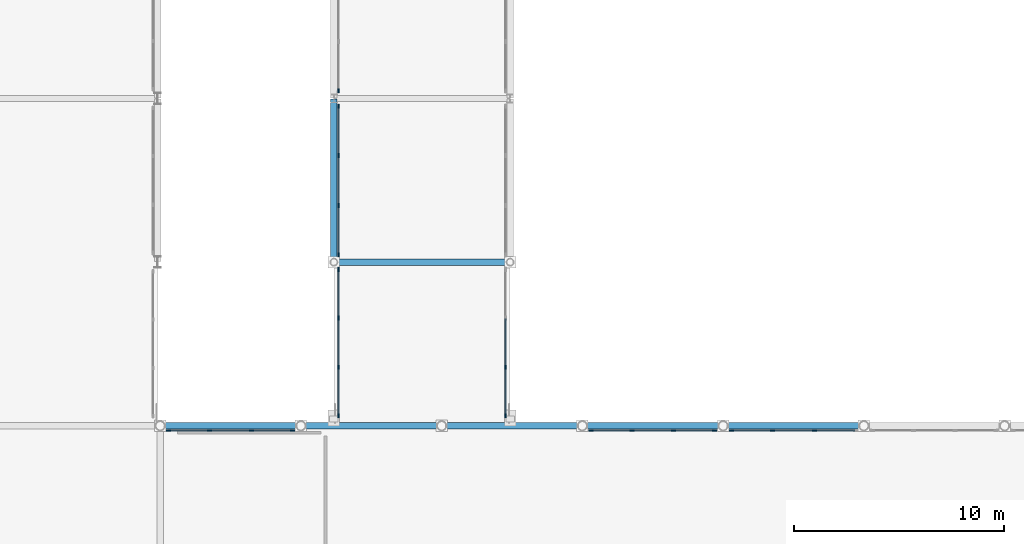
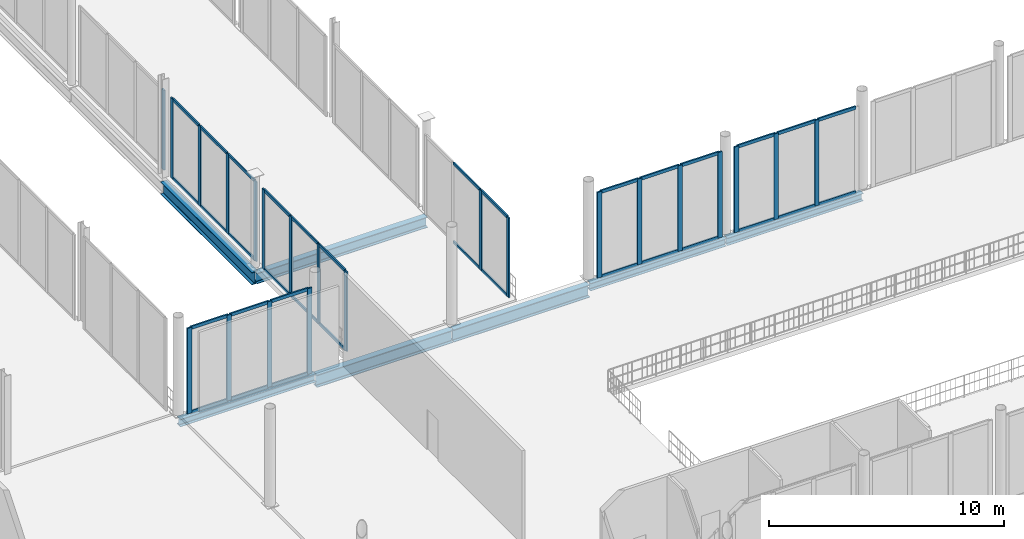
# One storey, part 35 of 105: 56 members, 7 beams, 7 elements without a shape of their own.
"""IFC4 building model written with IfcOpenShell, lengths in metres."""

from ifc_helpers import new_model, si_unit, direction, frame, origin, origin_2d, place, context, subcontext, project, spatial, rectangle, i_section, extrude, material, material_profile, profile_set, type_object, element, aggregate, save


model = new_model("IFC4")

# Units and contexts
model_context = context("Model", 3, precision=1e-05, world=origin(), true_north=direction((0.0, 1.0)))
body_context = subcontext(model_context, "Body", "Model", "MODEL_VIEW")
ifc_project = project(units=[si_unit("LENGTHUNIT", "METRE"), si_unit("AREAUNIT", "SQUARE_METRE"), si_unit("VOLUMEUNIT", "CUBIC_METRE"), si_unit("PLANEANGLEUNIT", "RADIAN"), si_unit("MASSUNIT", "GRAM", prefix="KILO")], contexts=[model_context])

# Site, building, storey
site_placement = place(None, origin())
site = spatial("IfcSite", under=ifc_project, at=site_placement, CompositionType="ELEMENT")
building_placement = place(site_placement, origin())
building = spatial("IfcBuilding", under=site, at=building_placement, Name="Nabrawat Pavilion Hospital", CompositionType="ELEMENT")
storey_placement = place(building_placement, frame((0.0, 0.0, 5.10009765625)))
storey = spatial("IfcBuildingStorey", under=building, at=storey_placement, Name="L01", CompositionType="ELEMENT", Elevation=5.10009765625)

# Beams
ifc_material_1 = material(Name="Steel S355", Category="steel")
ifc_material_profile_1 = material_profile(ifc_material_1, i_section(OverallWidth=0.300048828125, OverallDepth=0.64990234375, WebThickness=0.01611328125, FlangeThickness=0.031005859375, FilletRadius=0.027099609375, at=origin_2d()), Name="HEB 650")
ifc_profile_set_1 = profile_set([ifc_material_profile_1], Name="Steel S355")
beam_type_1 = type_object("IfcBeamType", Name="Courtyard Link Bridge Edge Girder HEB 650", PredefinedType="USERDEFINED", material=ifc_profile_set_1)
for number, where, z_axis, x_axis, name in (
    (1, (65.64794921875, 39.0, -0.614990234375), (1.0, 0.0, 0.0), (0.0, 1.0, 0.0), "L01 Courtyard Link Bridge Girder 519"),
    (2, (72.35595703125, 39.0, -0.614990234375), (1.0, 0.0, 0.0), (0.0, 1.0, 0.0), "L01 Courtyard Link Bridge Girder 520"),
):
    element("IfcBeam", number, at=place(storey_placement, frame(where, z_axis=z_axis, x_axis=x_axis)), inside=storey, type_object=beam_type_1, Name=name, ObjectType="GIRDER", PredefinedType="USERDEFINED", context=body_context, shape_type="SweptSolid", body=[
        extrude(i_section(OverallWidth=0.300048828125, OverallDepth=0.64990234375, WebThickness=0.01611328125, FlangeThickness=0.031005859375, FilletRadius=0.027099609375, at=origin_2d()), origin(), (0.0, 0.0, 1.0), 6.66796875),
    ])
beam_1_placement = place(storey_placement, frame((67.199951171875, 46.820068359375, -0.614990234375), z_axis=(0.0, 1.0, 0.0), x_axis=(-1.0, 0.0, 0.0)))
element("IfcBeam", 3, at=beam_1_placement, inside=storey, type_object=beam_type_1, Name="L01 Courtyard Link Bridge Edge Girder 760", ObjectType="GIRDER", PredefinedType="USERDEFINED", context=body_context, shape_type="SweptSolid", body=[
    extrude(i_section(OverallWidth=0.300048828125, OverallDepth=0.64990234375, WebThickness=0.01611328125, FlangeThickness=0.031005859375, FilletRadius=0.027099609375, at=origin_2d()), origin(), (0.0, 0.0, 1.0), 7.760009765625),
])

# Curtain wall, members
ifc_material_2 = material(Name="Anodised Aluminium", Category="aluminium")
curtain_wall_type_1 = type_object("IfcCurtainWallType", Name="Courtyard Link Bridge Glazed Curtain Wall", PredefinedType="USERDEFINED", material=ifc_material_2)
curtain_wall_1_placement = place(storey_placement, origin())
curtain_wall_1 = element("IfcCurtainWall", 4, at=curtain_wall_1_placement, inside=storey, type_object=curtain_wall_type_1, Name="L01 Courtyard Link Bridge Glazed Curtain Wall 052", ObjectType="CURTAIN WALL", PredefinedType="USERDEFINED")
ifc_material_profile_2 = material_profile(ifc_material_2, rectangle(XDim=0.070068359375, YDim=0.199951171875, at=origin_2d()), Name="CWM 70x200")
ifc_profile_set_2 = profile_set([ifc_material_profile_2], Name="Anodised Aluminium")
member_type_1 = type_object("IfcMemberType", Name="Courtyard Link Bridge Glazed Curtain Wall Mullion CWM 70x200", PredefinedType="MULLION", material=ifc_profile_set_2)
member_1_placement = place(storey_placement, frame((67.419921875, 39.47509765625, 0.0), z_axis=(0.0, 0.0, 1.0), x_axis=(-1.0, 0.0, 0.0)))
member_1 = element("IfcMember", 5, at=member_1_placement, type_object=member_type_1, Name="CW-BRG-01 mullion 1", PredefinedType="MULLION", context=body_context, shape_type="SweptSolid", body=[
    extrude(rectangle(XDim=0.070068359375, YDim=0.199951171875, at=origin_2d()), origin(), (0.0, 0.0, 1.0), 4.139892578125),
])
member_2_placement = place(storey_placement, frame((67.419921875, 41.787353515625, 0.0), z_axis=(0.0, 0.0, 1.0), x_axis=(-1.0, 0.0, 0.0)))
member_2 = element("IfcMember", 6, at=member_2_placement, type_object=member_type_1, Name="CW-BRG-01 mullion 2", PredefinedType="MULLION", context=body_context, shape_type="SweptSolid", body=[
    extrude(rectangle(XDim=0.070068359375, YDim=0.199951171875, at=origin_2d()), origin(), (0.0, 0.0, 1.0), 4.139892578125),
])
member_3_placement = place(storey_placement, frame((67.419921875, 44.134765625, 0.0), z_axis=(0.0, 0.0, 1.0), x_axis=(-1.0, 0.0, 0.0)))
member_3 = element("IfcMember", 7, at=member_3_placement, type_object=member_type_1, Name="CW-BRG-01 mullion 3", PredefinedType="MULLION", context=body_context, shape_type="SweptSolid", body=[
    extrude(rectangle(XDim=0.070068359375, YDim=0.199951171875, at=origin_2d()), origin(), (0.0, 0.0, 1.0), 4.139892578125),
])
member_4_placement = place(storey_placement, frame((67.419921875, 46.447265625, 0.0), z_axis=(0.0, 0.0, 1.0), x_axis=(-1.0, 0.0, 0.0)))
member_4 = element("IfcMember", 8, at=member_4_placement, type_object=member_type_1, Name="CW-BRG-01 mullion 4", PredefinedType="MULLION", context=body_context, shape_type="SweptSolid", body=[
    extrude(rectangle(XDim=0.070068359375, YDim=0.199951171875, at=origin_2d()), origin(), (0.0, 0.0, 1.0), 4.139892578125),
])

curtain_wall_2_placement = place(storey_placement, origin())
curtain_wall_2 = element("IfcCurtainWall", 9, at=curtain_wall_2_placement, inside=storey, type_object=curtain_wall_type_1, Name="L01 Courtyard Link Bridge Glazed Curtain Wall 053", ObjectType="CURTAIN WALL", PredefinedType="USERDEFINED")
member_5_placement = place(storey_placement, frame((67.419921875, 47.15283203125, 0.0), z_axis=(0.0, 0.0, 1.0), x_axis=(-1.0, 0.0, 0.0)))
member_5 = element("IfcMember", 10, at=member_5_placement, type_object=member_type_1, Name="CW-BRG-01 mullion 1", PredefinedType="MULLION", context=body_context, shape_type="SweptSolid", body=[
    extrude(rectangle(XDim=0.070068359375, YDim=0.199951171875, at=origin_2d()), origin(), (0.0, 0.0, 1.0), 4.139892578125),
])
member_6_placement = place(storey_placement, frame((67.419921875, 49.49853515625, 0.0), z_axis=(0.0, 0.0, 1.0), x_axis=(-1.0, 0.0, 0.0)))
member_6 = element("IfcMember", 11, at=member_6_placement, type_object=member_type_1, Name="CW-BRG-01 mullion 2", PredefinedType="MULLION", context=body_context, shape_type="SweptSolid", body=[
    extrude(rectangle(XDim=0.070068359375, YDim=0.199951171875, at=origin_2d()), origin(), (0.0, 0.0, 1.0), 4.139892578125),
])
member_7_placement = place(storey_placement, frame((67.419921875, 51.879150390625, 0.0), z_axis=(0.0, 0.0, 1.0), x_axis=(-1.0, 0.0, 0.0)))
member_7 = element("IfcMember", 12, at=member_7_placement, type_object=member_type_1, Name="CW-BRG-01 mullion 3", PredefinedType="MULLION", context=body_context, shape_type="SweptSolid", body=[
    extrude(rectangle(XDim=0.070068359375, YDim=0.199951171875, at=origin_2d()), origin(), (0.0, 0.0, 1.0), 4.139892578125),
])
member_8_placement = place(storey_placement, frame((67.419921875, 54.22509765625, 0.0), z_axis=(0.0, 0.0, 1.0), x_axis=(-1.0, 0.0, 0.0)))
member_8 = element("IfcMember", 13, at=member_8_placement, type_object=member_type_1, Name="CW-BRG-01 mullion 4", PredefinedType="MULLION", context=body_context, shape_type="SweptSolid", body=[
    extrude(rectangle(XDim=0.070068359375, YDim=0.199951171875, at=origin_2d()), origin(), (0.0, 0.0, 1.0), 4.139892578125),
])

# Curtain wall, member
curtain_wall_3_placement = place(storey_placement, origin())
curtain_wall_3 = element("IfcCurtainWall", 14, at=curtain_wall_3_placement, inside=storey, type_object=curtain_wall_type_1, Name="L01 Courtyard Link Bridge Glazed Curtain Wall 054", ObjectType="CURTAIN WALL", PredefinedType="USERDEFINED")
member_9_placement = place(storey_placement, frame((67.419921875, 54.97509765625, 0.0), z_axis=(0.0, 0.0, 1.0), x_axis=(-1.0, 0.0, 0.0)))
member_9 = element("IfcMember", 15, at=member_9_placement, type_object=member_type_1, Name="CW-BRG-01 mullion 1", PredefinedType="MULLION", context=body_context, shape_type="SweptSolid", body=[
    extrude(rectangle(XDim=0.070068359375, YDim=0.199951171875, at=origin_2d()), origin(), (0.0, 0.0, 1.0), 4.139892578125),
])
aggregate(curtain_wall_3, [member_9])

# Curtain wall, members
curtain_wall_4_placement = place(storey_placement, origin())
curtain_wall_4 = element("IfcCurtainWall", 16, at=curtain_wall_4_placement, inside=storey, type_object=curtain_wall_type_1, Name="L01 Courtyard Link Bridge Glazed Curtain Wall 058", ObjectType="CURTAIN WALL", PredefinedType="USERDEFINED")
member_10_placement = place(storey_placement, frame((75.3798828125, 39.47509765625, 0.0), z_axis=(0.0, 0.0, 1.0), x_axis=(-1.0, 0.0, 0.0)))
member_10 = element("IfcMember", 17, at=member_10_placement, type_object=member_type_1, Name="CW-BRG-01 mullion 1", PredefinedType="MULLION", context=body_context, shape_type="SweptSolid", body=[
    extrude(rectangle(XDim=0.070068359375, YDim=0.199951171875, at=origin_2d()), origin(), (0.0, 0.0, 1.0), 4.139892578125),
])
member_11_placement = place(storey_placement, frame((75.3798828125, 41.787353515625, 0.0), z_axis=(0.0, 0.0, 1.0), x_axis=(-1.0, 0.0, 0.0)))
member_11 = element("IfcMember", 18, at=member_11_placement, type_object=member_type_1, Name="CW-BRG-01 mullion 2", PredefinedType="MULLION", context=body_context, shape_type="SweptSolid", body=[
    extrude(rectangle(XDim=0.070068359375, YDim=0.199951171875, at=origin_2d()), origin(), (0.0, 0.0, 1.0), 4.139892578125),
])

# Member
ifc_material_profile_3 = material_profile(ifc_material_2, rectangle(XDim=0.070068359375, YDim=0.14990234375, at=origin_2d()), Name="CWT 70x150")
ifc_profile_set_3 = profile_set([ifc_material_profile_3], Name="Anodised Aluminium")
member_type_2 = type_object("IfcMemberType", Name="Courtyard Link Bridge Glazed Curtain Wall Transom CWT 70x150", PredefinedType="USERDEFINED", material=ifc_profile_set_3)
member_12_placement = place(storey_placement, frame((67.419921875, 39.510009765625, 0.034912109375), z_axis=(0.0, 1.0, 0.0), x_axis=(-1.0, 0.0, 0.0)))
member_12 = element("IfcMember", 19, at=member_12_placement, type_object=member_type_2, Name="CW-BRG-01 transom 1.1", ObjectType="TRANSOM", PredefinedType="USERDEFINED", context=body_context, shape_type="SweptSolid", body=[
    extrude(rectangle(XDim=0.070068359375, YDim=0.14990234375, at=origin_2d()), origin(), (0.0, 0.0, 1.0), 2.242431640625),
])

member_13_placement = place(storey_placement, frame((67.419921875, 39.510009765625, 4.10498046875), z_axis=(0.0, 1.0, 0.0), x_axis=(-1.0, 0.0, 0.0)))
member_13 = element("IfcMember", 20, at=member_13_placement, type_object=member_type_2, Name="CW-BRG-01 transom 1.2", ObjectType="TRANSOM", PredefinedType="USERDEFINED", context=body_context, shape_type="SweptSolid", body=[
    extrude(rectangle(XDim=0.070068359375, YDim=0.14990234375, at=origin_2d()), origin(), (0.0, 0.0, 1.0), 2.242431640625),
])

member_14_placement = place(storey_placement, frame((67.419921875, 41.822509765625, 0.034912109375), z_axis=(0.0, 1.0, 0.0), x_axis=(-1.0, 0.0, 0.0)))
member_14 = element("IfcMember", 21, at=member_14_placement, type_object=member_type_2, Name="CW-BRG-01 transom 2.1", ObjectType="TRANSOM", PredefinedType="USERDEFINED", context=body_context, shape_type="SweptSolid", body=[
    extrude(rectangle(XDim=0.070068359375, YDim=0.14990234375, at=origin_2d()), origin(), (0.0, 0.0, 1.0), 2.27734375),
])

member_15_placement = place(storey_placement, frame((67.419921875, 41.822509765625, 4.10498046875), z_axis=(0.0, 1.0, 0.0), x_axis=(-1.0, 0.0, 0.0)))
member_15 = element("IfcMember", 22, at=member_15_placement, type_object=member_type_2, Name="CW-BRG-01 transom 2.2", ObjectType="TRANSOM", PredefinedType="USERDEFINED", context=body_context, shape_type="SweptSolid", body=[
    extrude(rectangle(XDim=0.070068359375, YDim=0.14990234375, at=origin_2d()), origin(), (0.0, 0.0, 1.0), 2.27734375),
])

member_16_placement = place(storey_placement, frame((67.419921875, 44.169921875, 0.034912109375), z_axis=(0.0, 1.0, 0.0), x_axis=(-1.0, 0.0, 0.0)))
member_16 = element("IfcMember", 23, at=member_16_placement, type_object=member_type_2, Name="CW-BRG-01 transom 3.1", ObjectType="TRANSOM", PredefinedType="USERDEFINED", context=body_context, shape_type="SweptSolid", body=[
    extrude(rectangle(XDim=0.070068359375, YDim=0.14990234375, at=origin_2d()), origin(), (0.0, 0.0, 1.0), 2.2421875),
])

member_17_placement = place(storey_placement, frame((67.419921875, 44.169921875, 4.10498046875), z_axis=(0.0, 1.0, 0.0), x_axis=(-1.0, 0.0, 0.0)))
member_17 = element("IfcMember", 24, at=member_17_placement, type_object=member_type_2, Name="CW-BRG-01 transom 3.2", ObjectType="TRANSOM", PredefinedType="USERDEFINED", context=body_context, shape_type="SweptSolid", body=[
    extrude(rectangle(XDim=0.070068359375, YDim=0.14990234375, at=origin_2d()), origin(), (0.0, 0.0, 1.0), 2.2421875),
])

aggregate(curtain_wall_1, [member_1, member_2, member_3, member_4, member_12, member_13, member_14, member_15, member_16, member_17])

member_18_placement = place(storey_placement, frame((67.419921875, 47.187744140625, 0.034912109375), z_axis=(0.0, 1.0, 0.0), x_axis=(-1.0, 0.0, 0.0)))
member_18 = element("IfcMember", 25, at=member_18_placement, type_object=member_type_2, Name="CW-BRG-01 transom 1.1", ObjectType="TRANSOM", PredefinedType="USERDEFINED", context=body_context, shape_type="SweptSolid", body=[
    extrude(rectangle(XDim=0.070068359375, YDim=0.14990234375, at=origin_2d()), origin(), (0.0, 0.0, 1.0), 2.27587890625),
])

member_19_placement = place(storey_placement, frame((67.419921875, 47.187744140625, 4.10498046875), z_axis=(0.0, 1.0, 0.0), x_axis=(-1.0, 0.0, 0.0)))
member_19 = element("IfcMember", 26, at=member_19_placement, type_object=member_type_2, Name="CW-BRG-01 transom 1.2", ObjectType="TRANSOM", PredefinedType="USERDEFINED", context=body_context, shape_type="SweptSolid", body=[
    extrude(rectangle(XDim=0.070068359375, YDim=0.14990234375, at=origin_2d()), origin(), (0.0, 0.0, 1.0), 2.27587890625),
])

member_20_placement = place(storey_placement, frame((67.419921875, 49.533447265625, 0.034912109375), z_axis=(0.0, 1.0, 0.0), x_axis=(-1.0, 0.0, 0.0)))
member_20 = element("IfcMember", 27, at=member_20_placement, type_object=member_type_2, Name="CW-BRG-01 transom 2.1", ObjectType="TRANSOM", PredefinedType="USERDEFINED", context=body_context, shape_type="SweptSolid", body=[
    extrude(rectangle(XDim=0.070068359375, YDim=0.14990234375, at=origin_2d()), origin(), (0.0, 0.0, 1.0), 2.310791015625),
])

member_21_placement = place(storey_placement, frame((67.419921875, 49.533447265625, 4.10498046875), z_axis=(0.0, 1.0, 0.0), x_axis=(-1.0, 0.0, 0.0)))
member_21 = element("IfcMember", 28, at=member_21_placement, type_object=member_type_2, Name="CW-BRG-01 transom 2.2", ObjectType="TRANSOM", PredefinedType="USERDEFINED", context=body_context, shape_type="SweptSolid", body=[
    extrude(rectangle(XDim=0.070068359375, YDim=0.14990234375, at=origin_2d()), origin(), (0.0, 0.0, 1.0), 2.310791015625),
])

member_22_placement = place(storey_placement, frame((67.419921875, 51.914306640625, 0.034912109375), z_axis=(0.0, 1.0, 0.0), x_axis=(-1.0, 0.0, 0.0)))
member_22 = element("IfcMember", 29, at=member_22_placement, type_object=member_type_2, Name="CW-BRG-01 transom 3.1", ObjectType="TRANSOM", PredefinedType="USERDEFINED", context=body_context, shape_type="SweptSolid", body=[
    extrude(rectangle(XDim=0.070068359375, YDim=0.14990234375, at=origin_2d()), origin(), (0.0, 0.0, 1.0), 2.275634765625),
])

member_23_placement = place(storey_placement, frame((67.419921875, 51.914306640625, 4.10498046875), z_axis=(0.0, 1.0, 0.0), x_axis=(-1.0, 0.0, 0.0)))
member_23 = element("IfcMember", 30, at=member_23_placement, type_object=member_type_2, Name="CW-BRG-01 transom 3.2", ObjectType="TRANSOM", PredefinedType="USERDEFINED", context=body_context, shape_type="SweptSolid", body=[
    extrude(rectangle(XDim=0.070068359375, YDim=0.14990234375, at=origin_2d()), origin(), (0.0, 0.0, 1.0), 2.275634765625),
])

aggregate(curtain_wall_2, [member_5, member_6, member_7, member_8, member_18, member_19, member_20, member_21, member_22, member_23])

member_24_placement = place(storey_placement, frame((75.3798828125, 39.510009765625, 0.034912109375), z_axis=(0.0, 1.0, 0.0), x_axis=(-1.0, 0.0, 0.0)))
member_24 = element("IfcMember", 31, at=member_24_placement, type_object=member_type_2, Name="CW-BRG-01 transom 1.1", ObjectType="TRANSOM", PredefinedType="USERDEFINED", context=body_context, shape_type="SweptSolid", body=[
    extrude(rectangle(XDim=0.070068359375, YDim=0.14990234375, at=origin_2d()), origin(), (0.0, 0.0, 1.0), 2.242431640625),
])

member_25_placement = place(storey_placement, frame((75.3798828125, 39.510009765625, 4.10498046875), z_axis=(0.0, 1.0, 0.0), x_axis=(-1.0, 0.0, 0.0)))
member_25 = element("IfcMember", 32, at=member_25_placement, type_object=member_type_2, Name="CW-BRG-01 transom 1.2", ObjectType="TRANSOM", PredefinedType="USERDEFINED", context=body_context, shape_type="SweptSolid", body=[
    extrude(rectangle(XDim=0.070068359375, YDim=0.14990234375, at=origin_2d()), origin(), (0.0, 0.0, 1.0), 2.242431640625),
])

member_26_placement = place(storey_placement, frame((75.3798828125, 41.822509765625, 0.034912109375), z_axis=(0.0, 1.0, 0.0), x_axis=(-1.0, 0.0, 0.0)))
member_26 = element("IfcMember", 33, at=member_26_placement, type_object=member_type_2, Name="CW-BRG-01 transom 2.1", ObjectType="TRANSOM", PredefinedType="USERDEFINED", context=body_context, shape_type="SweptSolid", body=[
    extrude(rectangle(XDim=0.070068359375, YDim=0.14990234375, at=origin_2d()), origin(), (0.0, 0.0, 1.0), 2.27734375),
])

member_27_placement = place(storey_placement, frame((75.3798828125, 41.822509765625, 4.10498046875), z_axis=(0.0, 1.0, 0.0), x_axis=(-1.0, 0.0, 0.0)))
member_27 = element("IfcMember", 34, at=member_27_placement, type_object=member_type_2, Name="CW-BRG-01 transom 2.2", ObjectType="TRANSOM", PredefinedType="USERDEFINED", context=body_context, shape_type="SweptSolid", body=[
    extrude(rectangle(XDim=0.070068359375, YDim=0.14990234375, at=origin_2d()), origin(), (0.0, 0.0, 1.0), 2.27734375),
])

aggregate(curtain_wall_4, [member_10, member_11, member_24, member_25, member_26, member_27])

# Curtain wall, members
curtain_wall_type_2 = type_object("IfcCurtainWallType", Name="Main Hall Pavilion Unitised Curtain Wall", PredefinedType="USERDEFINED", material=ifc_material_2)
curtain_wall_5_placement = place(storey_placement, origin())
curtain_wall_5 = element("IfcCurtainWall", 35, at=curtain_wall_5_placement, inside=storey, type_object=curtain_wall_type_2, Name="L01 Main Hall Pavilion Unitised Curtain Wall 049", ObjectType="CURTAIN WALL", PredefinedType="USERDEFINED")
ifc_material_profile_4 = material_profile(ifc_material_2, rectangle(XDim=0.074951171875, YDim=0.219970703125, at=origin_2d()), Name="CWM 75x220")
ifc_profile_set_4 = profile_set([ifc_material_profile_4], Name="Anodised Aluminium")
member_type_3 = type_object("IfcMemberType", Name="Main Hall Pavilion Unitised Curtain Wall Mullion CWM 75x220", PredefinedType="MULLION", material=ifc_profile_set_4)
member_28_placement = place(storey_placement, frame((59.325927734375, 38.780029296875, 0.0), z_axis=(0.0, 0.0, 1.0), x_axis=(0.0, 1.0, 0.0)))
member_28 = element("IfcMember", 36, at=member_28_placement, type_object=member_type_3, Name="CW-MH-01 mullion 1", PredefinedType="MULLION", context=body_context, shape_type="SweptSolid", body=[
    extrude(rectangle(XDim=0.074951171875, YDim=0.219970703125, at=origin_2d()), origin(), (0.0, 0.0, 1.0), 4.43994140625),
])
member_29_placement = place(storey_placement, frame((61.27880859375, 38.780029296875, 0.0), z_axis=(0.0, 0.0, 1.0), x_axis=(0.0, 1.0, 0.0)))
member_29 = element("IfcMember", 37, at=member_29_placement, type_object=member_type_3, Name="CW-MH-01 mullion 2", PredefinedType="MULLION", context=body_context, shape_type="SweptSolid", body=[
    extrude(rectangle(XDim=0.074951171875, YDim=0.219970703125, at=origin_2d()), origin(), (0.0, 0.0, 1.0), 4.43994140625),
])
member_30_placement = place(storey_placement, frame((63.269287109375, 38.780029296875, 0.0), z_axis=(0.0, 0.0, 1.0), x_axis=(0.0, 1.0, 0.0)))
member_30 = element("IfcMember", 38, at=member_30_placement, type_object=member_type_3, Name="CW-MH-01 mullion 3", PredefinedType="MULLION", context=body_context, shape_type="SweptSolid", body=[
    extrude(rectangle(XDim=0.074951171875, YDim=0.219970703125, at=origin_2d()), origin(), (0.0, 0.0, 1.0), 4.43994140625),
])
member_31_placement = place(storey_placement, frame((65.221923828125, 38.780029296875, 0.0), z_axis=(0.0, 0.0, 1.0), x_axis=(0.0, 1.0, 0.0)))
member_31 = element("IfcMember", 39, at=member_31_placement, type_object=member_type_3, Name="CW-MH-01 mullion 4", PredefinedType="MULLION", context=body_context, shape_type="SweptSolid", body=[
    extrude(rectangle(XDim=0.074951171875, YDim=0.219970703125, at=origin_2d()), origin(), (0.0, 0.0, 1.0), 4.43994140625),
])

curtain_wall_6_placement = place(storey_placement, origin())
curtain_wall_6 = element("IfcCurtainWall", 40, at=curtain_wall_6_placement, inside=storey, type_object=curtain_wall_type_2, Name="L01 Main Hall Pavilion Unitised Curtain Wall 064", ObjectType="CURTAIN WALL", PredefinedType="USERDEFINED")
member_32_placement = place(storey_placement, frame((79.449951171875, 38.780029296875, 0.0), z_axis=(0.0, 0.0, 1.0), x_axis=(0.0, 1.0, 0.0)))
member_32 = element("IfcMember", 41, at=member_32_placement, type_object=member_type_3, Name="CW-MH-01 mullion 1", PredefinedType="MULLION", context=body_context, shape_type="SweptSolid", body=[
    extrude(rectangle(XDim=0.074951171875, YDim=0.219970703125, at=origin_2d()), origin(), (0.0, 0.0, 1.0), 4.449951171875),
])
member_33_placement = place(storey_placement, frame((81.40283203125, 38.780029296875, 0.0), z_axis=(0.0, 0.0, 1.0), x_axis=(0.0, 1.0, 0.0)))
member_33 = element("IfcMember", 42, at=member_33_placement, type_object=member_type_3, Name="CW-MH-01 mullion 2", PredefinedType="MULLION", context=body_context, shape_type="SweptSolid", body=[
    extrude(rectangle(XDim=0.074951171875, YDim=0.219970703125, at=origin_2d()), origin(), (0.0, 0.0, 1.0), 4.449951171875),
])
member_34_placement = place(storey_placement, frame((83.39306640625, 38.780029296875, 0.0), z_axis=(0.0, 0.0, 1.0), x_axis=(0.0, 1.0, 0.0)))
member_34 = element("IfcMember", 43, at=member_34_placement, type_object=member_type_3, Name="CW-MH-01 mullion 3", PredefinedType="MULLION", context=body_context, shape_type="SweptSolid", body=[
    extrude(rectangle(XDim=0.074951171875, YDim=0.219970703125, at=origin_2d()), origin(), (0.0, 0.0, 1.0), 4.449951171875),
])
member_35_placement = place(storey_placement, frame((85.345947265625, 38.780029296875, 0.0), z_axis=(0.0, 0.0, 1.0), x_axis=(0.0, 1.0, 0.0)))
member_35 = element("IfcMember", 44, at=member_35_placement, type_object=member_type_3, Name="CW-MH-01 mullion 4", PredefinedType="MULLION", context=body_context, shape_type="SweptSolid", body=[
    extrude(rectangle(XDim=0.074951171875, YDim=0.219970703125, at=origin_2d()), origin(), (0.0, 0.0, 1.0), 4.449951171875),
])

curtain_wall_7_placement = place(storey_placement, origin())
curtain_wall_7 = element("IfcCurtainWall", 45, at=curtain_wall_7_placement, inside=storey, type_object=curtain_wall_type_2, Name="L01 Main Hall Pavilion Unitised Curtain Wall 065", ObjectType="CURTAIN WALL", PredefinedType="USERDEFINED")
member_36_placement = place(storey_placement, frame((86.157958984375, 38.780029296875, 0.0), z_axis=(0.0, 0.0, 1.0), x_axis=(0.0, 1.0, 0.0)))
member_36 = element("IfcMember", 46, at=member_36_placement, type_object=member_type_3, Name="CW-MH-01 mullion 1", PredefinedType="MULLION", context=body_context, shape_type="SweptSolid", body=[
    extrude(rectangle(XDim=0.074951171875, YDim=0.219970703125, at=origin_2d()), origin(), (0.0, 0.0, 1.0), 4.449951171875),
])
member_37_placement = place(storey_placement, frame((88.11083984375, 38.780029296875, 0.0), z_axis=(0.0, 0.0, 1.0), x_axis=(0.0, 1.0, 0.0)))
member_37 = element("IfcMember", 47, at=member_37_placement, type_object=member_type_3, Name="CW-MH-01 mullion 2", PredefinedType="MULLION", context=body_context, shape_type="SweptSolid", body=[
    extrude(rectangle(XDim=0.074951171875, YDim=0.219970703125, at=origin_2d()), origin(), (0.0, 0.0, 1.0), 4.449951171875),
])
member_38_placement = place(storey_placement, frame((90.10107421875, 38.780029296875, 0.0), z_axis=(0.0, 0.0, 1.0), x_axis=(0.0, 1.0, 0.0)))
member_38 = element("IfcMember", 48, at=member_38_placement, type_object=member_type_3, Name="CW-MH-01 mullion 3", PredefinedType="MULLION", context=body_context, shape_type="SweptSolid", body=[
    extrude(rectangle(XDim=0.074951171875, YDim=0.219970703125, at=origin_2d()), origin(), (0.0, 0.0, 1.0), 4.449951171875),
])

# Member
ifc_material_profile_5 = material_profile(ifc_material_2, rectangle(XDim=0.074951171875, YDim=0.1650390625, at=origin_2d()), Name="CWT 75x165")
ifc_profile_set_5 = profile_set([ifc_material_profile_5], Name="Anodised Aluminium")
member_type_4 = type_object("IfcMemberType", Name="Main Hall Pavilion Unitised Curtain Wall Transom CWT 75x165", PredefinedType="USERDEFINED", material=ifc_profile_set_5)
member_39_placement = place(storey_placement, frame((59.363525390625, 38.780029296875, 0.037353515625), z_axis=(1.0, 0.0, 0.0), x_axis=(0.0, 1.0, 0.0)))
member_39 = element("IfcMember", 49, at=member_39_placement, type_object=member_type_4, Name="CW-MH-01 transom 1.1", ObjectType="TRANSOM", PredefinedType="USERDEFINED", context=body_context, shape_type="SweptSolid", body=[
    extrude(rectangle(XDim=0.074951171875, YDim=0.1650390625, at=origin_2d()), origin(), (0.0, 0.0, 1.0), 1.8779296875),
])

member_40_placement = place(storey_placement, frame((59.363525390625, 38.780029296875, 4.40234375), z_axis=(1.0, 0.0, 0.0), x_axis=(0.0, 1.0, 0.0)))
member_40 = element("IfcMember", 50, at=member_40_placement, type_object=member_type_4, Name="CW-MH-01 transom 1.2", ObjectType="TRANSOM", PredefinedType="USERDEFINED", context=body_context, shape_type="SweptSolid", body=[
    extrude(rectangle(XDim=0.074951171875, YDim=0.1650390625, at=origin_2d()), origin(), (0.0, 0.0, 1.0), 1.8779296875),
])

member_41_placement = place(storey_placement, frame((61.31640625, 38.780029296875, 0.037353515625), z_axis=(1.0, 0.0, 0.0), x_axis=(0.0, 1.0, 0.0)))
member_41 = element("IfcMember", 51, at=member_41_placement, type_object=member_type_4, Name="CW-MH-01 transom 2.1", ObjectType="TRANSOM", PredefinedType="USERDEFINED", context=body_context, shape_type="SweptSolid", body=[
    extrude(rectangle(XDim=0.074951171875, YDim=0.1650390625, at=origin_2d()), origin(), (0.0, 0.0, 1.0), 1.915283203125),
])

member_42_placement = place(storey_placement, frame((61.31640625, 38.780029296875, 4.40234375), z_axis=(1.0, 0.0, 0.0), x_axis=(0.0, 1.0, 0.0)))
member_42 = element("IfcMember", 52, at=member_42_placement, type_object=member_type_4, Name="CW-MH-01 transom 2.2", ObjectType="TRANSOM", PredefinedType="USERDEFINED", context=body_context, shape_type="SweptSolid", body=[
    extrude(rectangle(XDim=0.074951171875, YDim=0.1650390625, at=origin_2d()), origin(), (0.0, 0.0, 1.0), 1.915283203125),
])

member_43_placement = place(storey_placement, frame((63.306640625, 38.780029296875, 0.037353515625), z_axis=(1.0, 0.0, 0.0), x_axis=(0.0, 1.0, 0.0)))
member_43 = element("IfcMember", 53, at=member_43_placement, type_object=member_type_4, Name="CW-MH-01 transom 3.1", ObjectType="TRANSOM", PredefinedType="USERDEFINED", context=body_context, shape_type="SweptSolid", body=[
    extrude(rectangle(XDim=0.074951171875, YDim=0.1650390625, at=origin_2d()), origin(), (0.0, 0.0, 1.0), 1.8779296875),
])

member_44_placement = place(storey_placement, frame((63.306640625, 38.780029296875, 4.40234375), z_axis=(1.0, 0.0, 0.0), x_axis=(0.0, 1.0, 0.0)))
member_44 = element("IfcMember", 54, at=member_44_placement, type_object=member_type_4, Name="CW-MH-01 transom 3.2", ObjectType="TRANSOM", PredefinedType="USERDEFINED", context=body_context, shape_type="SweptSolid", body=[
    extrude(rectangle(XDim=0.074951171875, YDim=0.1650390625, at=origin_2d()), origin(), (0.0, 0.0, 1.0), 1.8779296875),
])

aggregate(curtain_wall_5, [member_28, member_29, member_30, member_31, member_39, member_40, member_41, member_42, member_43, member_44])

member_45_placement = place(storey_placement, frame((79.487548828125, 38.780029296875, 0.037353515625), z_axis=(1.0, 0.0, 0.0), x_axis=(0.0, 1.0, 0.0)))
member_45 = element("IfcMember", 55, at=member_45_placement, type_object=member_type_4, Name="CW-MH-01 transom 1.1", ObjectType="TRANSOM", PredefinedType="USERDEFINED", context=body_context, shape_type="SweptSolid", body=[
    extrude(rectangle(XDim=0.074951171875, YDim=0.1650390625, at=origin_2d()), origin(), (0.0, 0.0, 1.0), 1.877685546875),
])

member_46_placement = place(storey_placement, frame((79.487548828125, 38.780029296875, 4.412353515625), z_axis=(1.0, 0.0, 0.0), x_axis=(0.0, 1.0, 0.0)))
member_46 = element("IfcMember", 56, at=member_46_placement, type_object=member_type_4, Name="CW-MH-01 transom 1.2", ObjectType="TRANSOM", PredefinedType="USERDEFINED", context=body_context, shape_type="SweptSolid", body=[
    extrude(rectangle(XDim=0.074951171875, YDim=0.1650390625, at=origin_2d()), origin(), (0.0, 0.0, 1.0), 1.877685546875),
])

member_47_placement = place(storey_placement, frame((81.4404296875, 38.780029296875, 0.037353515625), z_axis=(1.0, 0.0, 0.0), x_axis=(0.0, 1.0, 0.0)))
member_47 = element("IfcMember", 57, at=member_47_placement, type_object=member_type_4, Name="CW-MH-01 transom 2.1", ObjectType="TRANSOM", PredefinedType="USERDEFINED", context=body_context, shape_type="SweptSolid", body=[
    extrude(rectangle(XDim=0.074951171875, YDim=0.1650390625, at=origin_2d()), origin(), (0.0, 0.0, 1.0), 1.915283203125),
])

member_48_placement = place(storey_placement, frame((81.4404296875, 38.780029296875, 4.412353515625), z_axis=(1.0, 0.0, 0.0), x_axis=(0.0, 1.0, 0.0)))
member_48 = element("IfcMember", 58, at=member_48_placement, type_object=member_type_4, Name="CW-MH-01 transom 2.2", ObjectType="TRANSOM", PredefinedType="USERDEFINED", context=body_context, shape_type="SweptSolid", body=[
    extrude(rectangle(XDim=0.074951171875, YDim=0.1650390625, at=origin_2d()), origin(), (0.0, 0.0, 1.0), 1.915283203125),
])

member_49_placement = place(storey_placement, frame((83.4306640625, 38.780029296875, 0.037353515625), z_axis=(1.0, 0.0, 0.0), x_axis=(0.0, 1.0, 0.0)))
member_49 = element("IfcMember", 59, at=member_49_placement, type_object=member_type_4, Name="CW-MH-01 transom 3.1", ObjectType="TRANSOM", PredefinedType="USERDEFINED", context=body_context, shape_type="SweptSolid", body=[
    extrude(rectangle(XDim=0.074951171875, YDim=0.1650390625, at=origin_2d()), origin(), (0.0, 0.0, 1.0), 1.8779296875),
])

member_50_placement = place(storey_placement, frame((83.4306640625, 38.780029296875, 4.412353515625), z_axis=(1.0, 0.0, 0.0), x_axis=(0.0, 1.0, 0.0)))
member_50 = element("IfcMember", 60, at=member_50_placement, type_object=member_type_4, Name="CW-MH-01 transom 3.2", ObjectType="TRANSOM", PredefinedType="USERDEFINED", context=body_context, shape_type="SweptSolid", body=[
    extrude(rectangle(XDim=0.074951171875, YDim=0.1650390625, at=origin_2d()), origin(), (0.0, 0.0, 1.0), 1.8779296875),
])

aggregate(curtain_wall_6, [member_32, member_33, member_34, member_35, member_45, member_46, member_47, member_48, member_49, member_50])

member_51_placement = place(storey_placement, frame((86.195556640625, 38.780029296875, 0.037353515625), z_axis=(1.0, 0.0, 0.0), x_axis=(0.0, 1.0, 0.0)))
member_51 = element("IfcMember", 61, at=member_51_placement, type_object=member_type_4, Name="CW-MH-01 transom 1.1", ObjectType="TRANSOM", PredefinedType="USERDEFINED", context=body_context, shape_type="SweptSolid", body=[
    extrude(rectangle(XDim=0.074951171875, YDim=0.1650390625, at=origin_2d()), origin(), (0.0, 0.0, 1.0), 1.877685546875),
])

member_52_placement = place(storey_placement, frame((86.195556640625, 38.780029296875, 4.412353515625), z_axis=(1.0, 0.0, 0.0), x_axis=(0.0, 1.0, 0.0)))
member_52 = element("IfcMember", 62, at=member_52_placement, type_object=member_type_4, Name="CW-MH-01 transom 1.2", ObjectType="TRANSOM", PredefinedType="USERDEFINED", context=body_context, shape_type="SweptSolid", body=[
    extrude(rectangle(XDim=0.074951171875, YDim=0.1650390625, at=origin_2d()), origin(), (0.0, 0.0, 1.0), 1.877685546875),
])

member_53_placement = place(storey_placement, frame((88.1484375, 38.780029296875, 0.037353515625), z_axis=(1.0, 0.0, 0.0), x_axis=(0.0, 1.0, 0.0)))
member_53 = element("IfcMember", 63, at=member_53_placement, type_object=member_type_4, Name="CW-MH-01 transom 2.1", ObjectType="TRANSOM", PredefinedType="USERDEFINED", context=body_context, shape_type="SweptSolid", body=[
    extrude(rectangle(XDim=0.074951171875, YDim=0.1650390625, at=origin_2d()), origin(), (0.0, 0.0, 1.0), 1.915283203125),
])

member_54_placement = place(storey_placement, frame((88.1484375, 38.780029296875, 4.412353515625), z_axis=(1.0, 0.0, 0.0), x_axis=(0.0, 1.0, 0.0)))
member_54 = element("IfcMember", 64, at=member_54_placement, type_object=member_type_4, Name="CW-MH-01 transom 2.2", ObjectType="TRANSOM", PredefinedType="USERDEFINED", context=body_context, shape_type="SweptSolid", body=[
    extrude(rectangle(XDim=0.074951171875, YDim=0.1650390625, at=origin_2d()), origin(), (0.0, 0.0, 1.0), 1.915283203125),
])

member_55_placement = place(storey_placement, frame((90.138671875, 38.780029296875, 0.037353515625), z_axis=(1.0, 0.0, 0.0), x_axis=(0.0, 1.0, 0.0)))
member_55 = element("IfcMember", 65, at=member_55_placement, type_object=member_type_4, Name="CW-MH-01 transom 3.1", ObjectType="TRANSOM", PredefinedType="USERDEFINED", context=body_context, shape_type="SweptSolid", body=[
    extrude(rectangle(XDim=0.074951171875, YDim=0.1650390625, at=origin_2d()), origin(), (0.0, 0.0, 1.0), 1.8779296875),
])

member_56_placement = place(storey_placement, frame((90.138671875, 38.780029296875, 4.412353515625), z_axis=(1.0, 0.0, 0.0), x_axis=(0.0, 1.0, 0.0)))
member_56 = element("IfcMember", 66, at=member_56_placement, type_object=member_type_4, Name="CW-MH-01 transom 3.2", ObjectType="TRANSOM", PredefinedType="USERDEFINED", context=body_context, shape_type="SweptSolid", body=[
    extrude(rectangle(XDim=0.074951171875, YDim=0.1650390625, at=origin_2d()), origin(), (0.0, 0.0, 1.0), 1.8779296875),
])

aggregate(curtain_wall_7, [member_36, member_37, member_38, member_51, member_52, member_53, member_54, member_55, member_56])

# Beams
ifc_material_profile_6 = material_profile(ifc_material_1, i_section(OverallWidth=0.300048828125, OverallDepth=0.389892578125, WebThickness=0.010986328125, FlangeThickness=0.01904296875, FilletRadius=0.027099609375, at=origin_2d()), Name="HEA 400")
ifc_profile_set_6 = profile_set([ifc_material_profile_6], Name="Steel S355")
beam_type_2 = type_object("IfcBeamType", Name="Perimeter Moment Spandrel Beam HEA 400", PredefinedType="SPANDREL", material=ifc_profile_set_6)
for number, where, z_axis, x_axis, name in (
    (67, (58.93994140625, 39.0, -0.43505859375), (1.0, 0.0, 0.0), (0.0, 1.0, 0.0), "L01 Primary X Girder 518"),
    (68, (79.06396484375, 39.0, -0.43505859375), (1.0, 0.0, 0.0), (0.0, 1.0, 0.0), "L01 Primary X Girder 521"),
    (69, (85.77197265625, 39.0, -0.43505859375), (1.0, 0.0, 0.0), (0.0, 1.0, 0.0), "L01 Primary X Girder 522"),
):
    element("IfcBeam", number, at=place(storey_placement, frame(where, z_axis=z_axis, x_axis=x_axis)), inside=storey, type_object=beam_type_2, Name=name, PredefinedType="SPANDREL", context=body_context, shape_type="SweptSolid", body=[
        extrude(i_section(OverallWidth=0.300048828125, OverallDepth=0.389892578125, WebThickness=0.010986328125, FlangeThickness=0.01904296875, FilletRadius=0.027099609375, at=origin_2d()), origin(), (0.0, 0.0, 1.0), 6.66796875),
    ])
ifc_material_profile_7 = material_profile(ifc_material_1, i_section(OverallWidth=0.300048828125, OverallDepth=0.550048828125, WebThickness=0.014892578125, FlangeThickness=0.029052734375, FilletRadius=0.027099609375, at=origin_2d()), Name="HEB 550")
ifc_profile_set_7 = profile_set([ifc_material_profile_7], Name="Steel S355")
beam_type_3 = type_object("IfcBeamType", Name="Primary Floor Girder HEB 550", PredefinedType="USERDEFINED", material=ifc_profile_set_7)
beam_2_placement = place(storey_placement, frame((67.219970703125, 46.800048828125, -0.565185546875), z_axis=(1.0, 0.0, 0.0), x_axis=(0.0, 1.0, 0.0)))
element("IfcBeam", 70, at=beam_2_placement, inside=storey, type_object=beam_type_3, Name="L01 Courtyard Link Bridge Girder 538", ObjectType="GIRDER", PredefinedType="USERDEFINED", context=body_context, shape_type="SweptSolid", body=[
    extrude(i_section(OverallWidth=0.300048828125, OverallDepth=0.550048828125, WebThickness=0.014892578125, FlangeThickness=0.029052734375, FilletRadius=0.027099609375, at=origin_2d()), origin(), (0.0, 0.0, 1.0), 8.360107421875),
])

save(model, "model.ifc")
